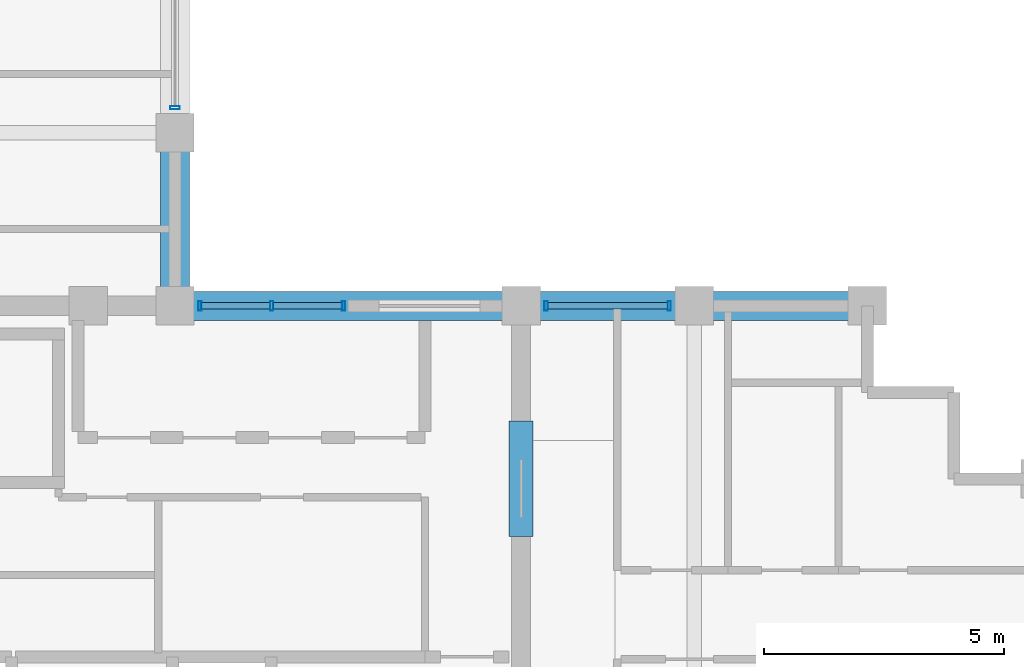
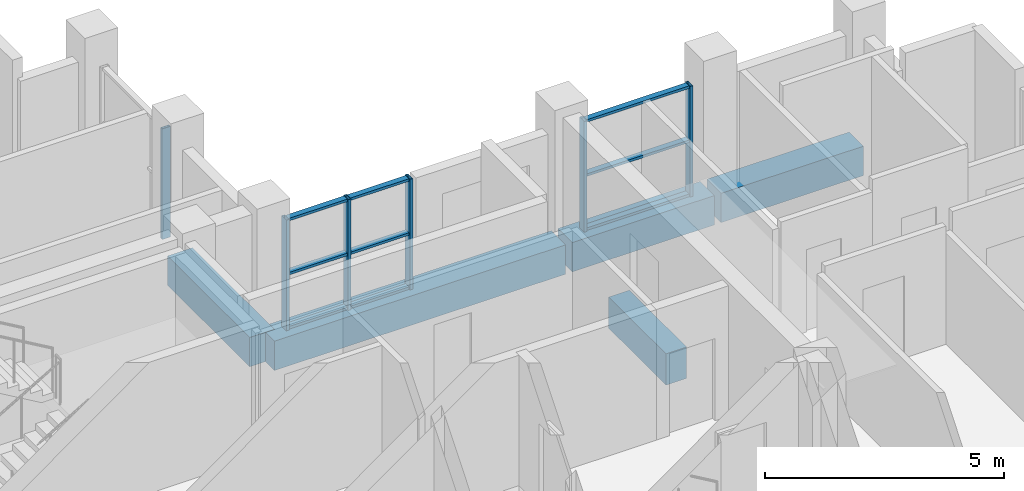
# One storey, part 9 of 17: 15 members, 5 beams, 3 elements without a shape of their own.
"""IFC4 building model written with IfcOpenShell, lengths in metres."""

from ifc_helpers import new_model, si_unit, direction, frame, origin, origin_2d, place, context, subcontext, project, spatial, rectangle, hollow_rectangle, extrude, material, layer, layer_set, material_profile, profile_set, type_object, element, aggregate, save


model = new_model("IFC4")

# Units and contexts
model_context = context("Model", 3, precision=1e-05, world=origin(), true_north=direction((0.0, 1.0)))
body_context = subcontext(model_context, "Body", "Model", "MODEL_VIEW")
ifc_project = project(units=[si_unit("LENGTHUNIT", "METRE"), si_unit("AREAUNIT", "SQUARE_METRE"), si_unit("VOLUMEUNIT", "CUBIC_METRE"), si_unit("PLANEANGLEUNIT", "RADIAN"), si_unit("MASSUNIT", "GRAM", prefix="KILO")], contexts=[model_context])

# Site, building, storey
site_placement = place(None, origin())
site = spatial("IfcSite", under=ifc_project, at=site_placement, CompositionType="ELEMENT")
building_placement = place(site_placement, origin())
building = spatial("IfcBuilding", under=site, at=building_placement, Name="Solnavia Interchange Tower", CompositionType="ELEMENT")
storey_placement = place(building_placement, frame((0.0, 0.0, 291.800048828125)))
storey = spatial("IfcBuildingStorey", under=building, at=storey_placement, Name="L74", CompositionType="ELEMENT", Elevation=291.800048828125)

# Beams
ifc_material_1 = material(Name="Concrete C50/60", Category="concrete")
ifc_material_profile_1 = material_profile(ifc_material_1, rectangle(XDim=0.5, YDim=0.800048828125, at=origin_2d()), Name="RC 500x800")
ifc_profile_set_1 = profile_set([ifc_material_profile_1], Name="Concrete C50/60")
beam_type_1 = type_object("IfcBeamType", Name="Beam-Coupling-RC500x800", PredefinedType="LINTEL", material=ifc_profile_set_1)
beam_1_placement = place(storey_placement, frame((32.39990234375, 20.39990234375, -0.400146484375), z_axis=(0.0, 1.0, 0.0), x_axis=(-1.0, 0.0, 0.0)))
element("IfcBeam", 1, at=beam_1_placement, inside=storey, type_object=beam_type_1, Name="CPB-L74-E2 Core coupling lintel beam", PredefinedType="LINTEL", context=body_context, shape_type="SweptSolid", body=[
    extrude(rectangle(XDim=0.5, YDim=0.800048828125, at=origin_2d()), origin(), (0.0, 0.0, 1.0), 2.400146484375),
])
ifc_material_profile_2 = material_profile(ifc_material_1, rectangle(XDim=0.60009765625, YDim=0.75, at=origin_2d()), Name="RC 600x750")
ifc_profile_set_2 = profile_set([ifc_material_profile_2], Name="Concrete C50/60")
beam_type_2 = type_object("IfcBeamType", Name="Beam-Spandrel-RC600x750", PredefinedType="SPANDREL", material=ifc_profile_set_2)
for number, where, z_axis, x_axis, name in (
    (2, (39.52001953125, 25.199951171875, -0.375), (-1.0, 0.0, 0.0), (0.0, -1.0, 0.0), "SPB-L74-17 Framed-tube perimeter spandrel beam"),
    (3, (35.919921875, 25.199951171875, -0.375), (-1.0, 0.0, 0.0), (0.0, -1.0, 0.0), "SPB-L74-18 Framed-tube perimeter spandrel beam"),
):
    element("IfcBeam", number, at=place(storey_placement, frame(where, z_axis=z_axis, x_axis=x_axis)), inside=storey, type_object=beam_type_2, Name=name, PredefinedType="SPANDREL", context=body_context, shape_type="SweptSolid", body=[
        extrude(rectangle(XDim=0.60009765625, YDim=0.75, at=origin_2d()), origin(), (0.0, 0.0, 1.0), 3.43994140625),
    ])
beam_2_placement = place(storey_placement, frame((32.320068359375, 25.199951171875, -0.375), z_axis=(-1.0, 0.0, 0.0), x_axis=(0.0, -1.0, 0.0)))
element("IfcBeam", 4, at=beam_2_placement, inside=storey, type_object=beam_type_2, Name="SPB-L74-19 Framed-tube perimeter spandrel beam", PredefinedType="SPANDREL", context=body_context, shape_type="SweptSolid", body=[
    extrude(rectangle(XDim=0.60009765625, YDim=0.75, at=origin_2d()), origin(), (0.0, 0.0, 1.0), 7.0400390625),
])
beam_3_placement = place(storey_placement, frame((25.199951171875, 25.280029296875, -0.375), z_axis=(0.0, 1.0, 0.0), x_axis=(-1.0, 0.0, 0.0)))
element("IfcBeam", 5, at=beam_3_placement, inside=storey, type_object=beam_type_2, Name="SPB-L74-20 Framed-tube perimeter spandrel beam", PredefinedType="SPANDREL", context=body_context, shape_type="SweptSolid", body=[
    extrude(rectangle(XDim=0.60009765625, YDim=0.75, at=origin_2d()), origin(), (0.0, 0.0, 1.0), 3.43994140625),
])

# Curtain wall, members
ifc_material_2 = material(Name="Aluminium Alloy 6063-T6", Category="aluminium")
ifc_layer = layer(ifc_material_2, 0.219970703125)
ifc_layer_set = layer_set([ifc_layer], Name="Aluminium Alloy 6063-T6")
curtain_wall_type = type_object("IfcCurtainWallType", Name="CurtainWall-Tower-CTW3", PredefinedType="NOTDEFINED", material=ifc_layer_set)
curtain_wall_1_placement = place(storey_placement, origin())
curtain_wall_1 = element("IfcCurtainWall", 6, at=curtain_wall_1_placement, inside=storey, type_object=curtain_wall_type, Name="CTW-L74-S18 CTW-3 curtain wall", PredefinedType="NOTDEFINED")
ifc_material_profile_3 = material_profile(ifc_material_2, hollow_rectangle(XDim=0.070068359375, YDim=0.199951171875, WallThickness=0.0048828125, at=origin_2d()), Name="ALU 200x70x5")
ifc_profile_set_3 = profile_set([ifc_material_profile_3], Name="Aluminium Alloy 6063-T6")
member_type_1 = type_object("IfcMemberType", Name="CW-Mullion-CWM-3", PredefinedType="MULLION", material=ifc_profile_set_3)
member_1_placement = place(storey_placement, frame((35.47998046875, 25.199951171875, 0.0), z_axis=(0.0, 0.0, 1.0), x_axis=(-1.0, 0.0, 0.0)))
member_1 = element("IfcMember", 7, at=member_1_placement, type_object=member_type_1, Name="CTW-3 mullion 1", PredefinedType="MULLION", context=body_context, shape_type="SweptSolid", body=[
    extrude(hollow_rectangle(XDim=0.070068359375, YDim=0.199951171875, WallThickness=0.0048828125, at=origin_2d()), origin(), (0.0, 0.0, 1.0), 2.829833984375),
])
member_2_placement = place(storey_placement, frame((32.919921875, 25.199951171875, 0.0), z_axis=(0.0, 0.0, 1.0), x_axis=(-1.0, 0.0, 0.0)))
member_2 = element("IfcMember", 8, at=member_2_placement, type_object=member_type_1, Name="CTW-3 mullion 2", PredefinedType="MULLION", context=body_context, shape_type="SweptSolid", body=[
    extrude(hollow_rectangle(XDim=0.070068359375, YDim=0.199951171875, WallThickness=0.0048828125, at=origin_2d()), origin(), (0.0, 0.0, 1.0), 2.829833984375),
])

curtain_wall_2_placement = place(storey_placement, origin())
curtain_wall_2 = element("IfcCurtainWall", 9, at=curtain_wall_2_placement, inside=storey, type_object=curtain_wall_type, Name="CTW-L74-S20 CTW-3 curtain wall", PredefinedType="NOTDEFINED")
member_3_placement = place(storey_placement, frame((28.705078125, 25.199951171875, 0.0), z_axis=(0.0, 0.0, 1.0), x_axis=(-1.0, 0.0, 0.0)))
member_3 = element("IfcMember", 10, at=member_3_placement, type_object=member_type_1, Name="CTW-3 mullion 1", PredefinedType="MULLION", context=body_context, shape_type="SweptSolid", body=[
    extrude(hollow_rectangle(XDim=0.070068359375, YDim=0.199951171875, WallThickness=0.0048828125, at=origin_2d()), origin(), (0.0, 0.0, 1.0), 2.829833984375),
])
member_4_placement = place(storey_placement, frame((27.21240234375, 25.199951171875, 0.0), z_axis=(0.0, 0.0, 1.0), x_axis=(-1.0, 0.0, 0.0)))
member_4 = element("IfcMember", 11, at=member_4_placement, type_object=member_type_1, Name="CTW-3 mullion 2", PredefinedType="MULLION", context=body_context, shape_type="SweptSolid", body=[
    extrude(hollow_rectangle(XDim=0.070068359375, YDim=0.199951171875, WallThickness=0.0048828125, at=origin_2d()), origin(), (0.0, 0.0, 1.0), 2.829833984375),
])
member_5_placement = place(storey_placement, frame((25.719970703125, 25.199951171875, 0.0), z_axis=(0.0, 0.0, 1.0), x_axis=(-1.0, 0.0, 0.0)))
member_5 = element("IfcMember", 12, at=member_5_placement, type_object=member_type_1, Name="CTW-3 mullion 3", PredefinedType="MULLION", context=body_context, shape_type="SweptSolid", body=[
    extrude(hollow_rectangle(XDim=0.070068359375, YDim=0.199951171875, WallThickness=0.0048828125, at=origin_2d()), origin(), (0.0, 0.0, 1.0), 2.829833984375),
])

# Curtain wall, member
curtain_wall_3_placement = place(storey_placement, origin())
curtain_wall_3 = element("IfcCurtainWall", 13, at=curtain_wall_3_placement, inside=storey, type_object=curtain_wall_type, Name="CTW-L74-S22 CTW-3 curtain wall", PredefinedType="NOTDEFINED")
member_6_placement = place(storey_placement, frame((25.199951171875, 29.320068359375, 0.0), z_axis=(0.0, 0.0, 1.0), x_axis=(0.0, 1.0, 0.0)))
member_6 = element("IfcMember", 14, at=member_6_placement, type_object=member_type_1, Name="CTW-3 mullion 1", PredefinedType="MULLION", context=body_context, shape_type="SweptSolid", body=[
    extrude(hollow_rectangle(XDim=0.070068359375, YDim=0.199951171875, WallThickness=0.0048828125, at=origin_2d()), origin(), (0.0, 0.0, 1.0), 2.829833984375),
])
aggregate(curtain_wall_3, [member_6])

# Member
ifc_material_profile_4 = material_profile(ifc_material_2, hollow_rectangle(XDim=0.06494140625, YDim=0.139892578125, WallThickness=0.00390625, at=origin_2d()), Name="ALU 140x65x4")
ifc_profile_set_4 = profile_set([ifc_material_profile_4], Name="Aluminium Alloy 6063-T6")
member_type_2 = type_object("IfcMemberType", Name="CW-Transom-CWT-3", PredefinedType="USERDEFINED", material=ifc_profile_set_4)
member_7_placement = place(storey_placement, frame((35.445068359375, 25.199951171875, 0.032470703125), z_axis=(-1.0, 0.0, 0.0), x_axis=(0.0, 0.0, 1.0)))
member_7 = element("IfcMember", 15, at=member_7_placement, type_object=member_type_2, Name="CTW-3 transom 1.1", ObjectType="TRANSOM", PredefinedType="USERDEFINED", context=body_context, shape_type="SweptSolid", body=[
    extrude(hollow_rectangle(XDim=0.06494140625, YDim=0.139892578125, WallThickness=0.00390625, at=origin_2d()), origin(), (0.0, 0.0, 1.0), 2.489990234375),
])

member_8_placement = place(storey_placement, frame((35.445068359375, 25.199951171875, 1.4150390625), z_axis=(-1.0, 0.0, 0.0), x_axis=(0.0, 0.0, 1.0)))
member_8 = element("IfcMember", 16, at=member_8_placement, type_object=member_type_2, Name="CTW-3 transom 1.2", ObjectType="TRANSOM", PredefinedType="USERDEFINED", context=body_context, shape_type="SweptSolid", body=[
    extrude(hollow_rectangle(XDim=0.06494140625, YDim=0.139892578125, WallThickness=0.00390625, at=origin_2d()), origin(), (0.0, 0.0, 1.0), 2.489990234375),
])

member_9_placement = place(storey_placement, frame((35.445068359375, 25.199951171875, 2.79736328125), z_axis=(-1.0, 0.0, 0.0), x_axis=(0.0, 0.0, 1.0)))
member_9 = element("IfcMember", 17, at=member_9_placement, type_object=member_type_2, Name="CTW-3 transom 1.3", ObjectType="TRANSOM", PredefinedType="USERDEFINED", context=body_context, shape_type="SweptSolid", body=[
    extrude(hollow_rectangle(XDim=0.06494140625, YDim=0.139892578125, WallThickness=0.00390625, at=origin_2d()), origin(), (0.0, 0.0, 1.0), 2.489990234375),
])

aggregate(curtain_wall_1, [member_1, member_2, member_7, member_8, member_9])

member_10_placement = place(storey_placement, frame((28.669921875, 25.199951171875, 0.032470703125), z_axis=(-1.0, 0.0, 0.0), x_axis=(0.0, 0.0, 1.0)))
member_10 = element("IfcMember", 18, at=member_10_placement, type_object=member_type_2, Name="CTW-3 transom 1.1", ObjectType="TRANSOM", PredefinedType="USERDEFINED", context=body_context, shape_type="SweptSolid", body=[
    extrude(hollow_rectangle(XDim=0.06494140625, YDim=0.139892578125, WallThickness=0.00390625, at=origin_2d()), origin(), (0.0, 0.0, 1.0), 1.42236328125),
])

member_11_placement = place(storey_placement, frame((28.669921875, 25.199951171875, 1.4150390625), z_axis=(-1.0, 0.0, 0.0), x_axis=(0.0, 0.0, 1.0)))
member_11 = element("IfcMember", 19, at=member_11_placement, type_object=member_type_2, Name="CTW-3 transom 1.2", ObjectType="TRANSOM", PredefinedType="USERDEFINED", context=body_context, shape_type="SweptSolid", body=[
    extrude(hollow_rectangle(XDim=0.06494140625, YDim=0.139892578125, WallThickness=0.00390625, at=origin_2d()), origin(), (0.0, 0.0, 1.0), 1.42236328125),
])

member_12_placement = place(storey_placement, frame((28.669921875, 25.199951171875, 2.79736328125), z_axis=(-1.0, 0.0, 0.0), x_axis=(0.0, 0.0, 1.0)))
member_12 = element("IfcMember", 20, at=member_12_placement, type_object=member_type_2, Name="CTW-3 transom 1.3", ObjectType="TRANSOM", PredefinedType="USERDEFINED", context=body_context, shape_type="SweptSolid", body=[
    extrude(hollow_rectangle(XDim=0.06494140625, YDim=0.139892578125, WallThickness=0.00390625, at=origin_2d()), origin(), (0.0, 0.0, 1.0), 1.42236328125),
])

member_13_placement = place(storey_placement, frame((27.177490234375, 25.199951171875, 0.032470703125), z_axis=(-1.0, 0.0, 0.0), x_axis=(0.0, 0.0, 1.0)))
member_13 = element("IfcMember", 21, at=member_13_placement, type_object=member_type_2, Name="CTW-3 transom 2.1", ObjectType="TRANSOM", PredefinedType="USERDEFINED", context=body_context, shape_type="SweptSolid", body=[
    extrude(hollow_rectangle(XDim=0.06494140625, YDim=0.139892578125, WallThickness=0.00390625, at=origin_2d()), origin(), (0.0, 0.0, 1.0), 1.422607421875),
])

member_14_placement = place(storey_placement, frame((27.177490234375, 25.199951171875, 1.4150390625), z_axis=(-1.0, 0.0, 0.0), x_axis=(0.0, 0.0, 1.0)))
member_14 = element("IfcMember", 22, at=member_14_placement, type_object=member_type_2, Name="CTW-3 transom 2.2", ObjectType="TRANSOM", PredefinedType="USERDEFINED", context=body_context, shape_type="SweptSolid", body=[
    extrude(hollow_rectangle(XDim=0.06494140625, YDim=0.139892578125, WallThickness=0.00390625, at=origin_2d()), origin(), (0.0, 0.0, 1.0), 1.422607421875),
])

member_15_placement = place(storey_placement, frame((27.177490234375, 25.199951171875, 2.79736328125), z_axis=(-1.0, 0.0, 0.0), x_axis=(0.0, 0.0, 1.0)))
member_15 = element("IfcMember", 23, at=member_15_placement, type_object=member_type_2, Name="CTW-3 transom 2.3", ObjectType="TRANSOM", PredefinedType="USERDEFINED", context=body_context, shape_type="SweptSolid", body=[
    extrude(hollow_rectangle(XDim=0.06494140625, YDim=0.139892578125, WallThickness=0.00390625, at=origin_2d()), origin(), (0.0, 0.0, 1.0), 1.422607421875),
])

aggregate(curtain_wall_2, [member_3, member_4, member_5, member_10, member_11, member_12, member_13, member_14, member_15])

save(model, "model.ifc")
